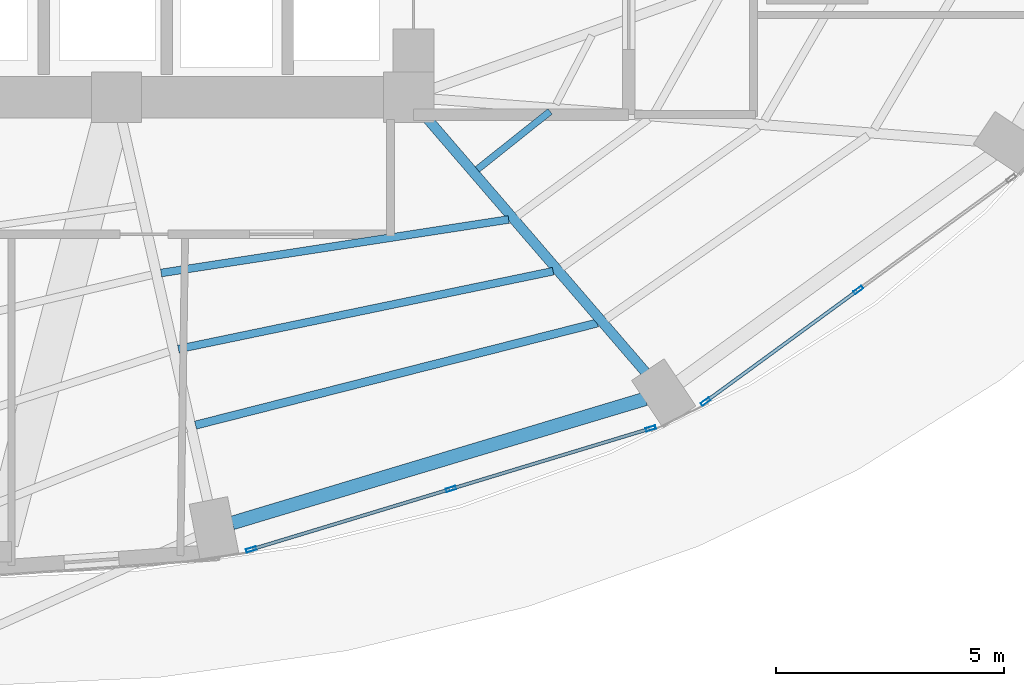
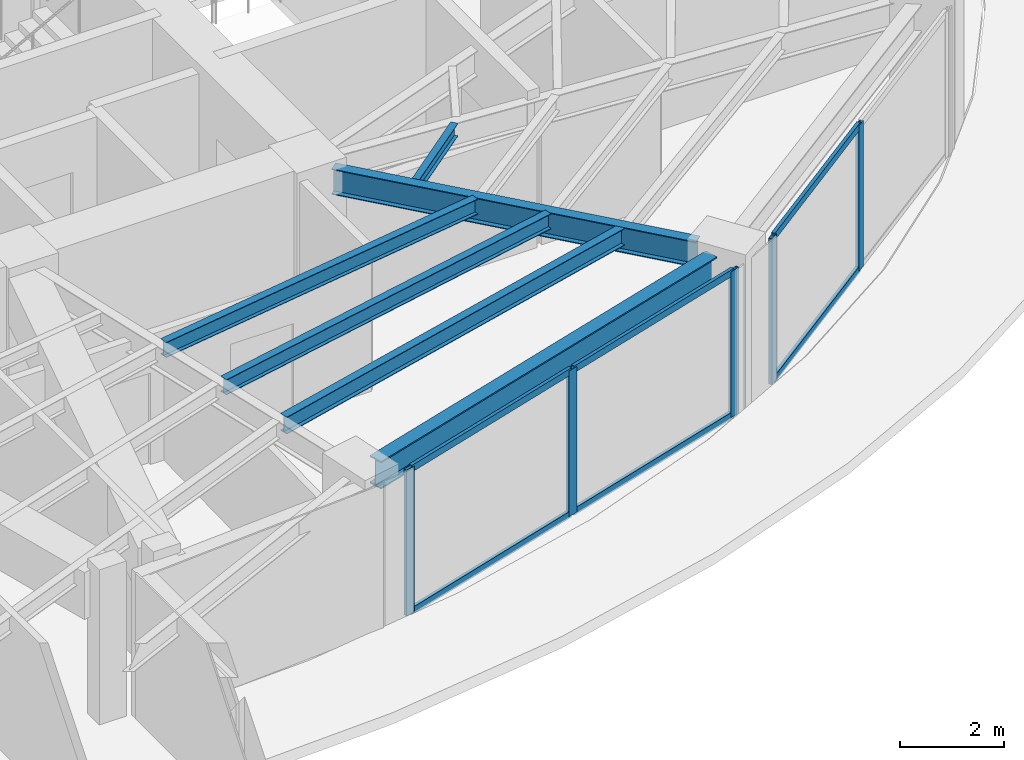
# One storey, part 9 of 25: 11 members, 6 beams, 2 elements without a shape of their own.
"""IFC4 building model written with IfcOpenShell, lengths in metres."""

from ifc_helpers import new_model, si_unit, direction, frame, origin, origin_2d, place, context, subcontext, project, spatial, hollow_rectangle, i_section, extrude, material, layer, layer_set, material_profile, profile_set, type_object, element, aggregate, save


model = new_model("IFC4")

# Units and contexts
model_context = context("Model", 3, precision=1e-05, world=origin(), true_north=direction((0.0, 1.0)))
body_context = subcontext(model_context, "Body", "Model", "MODEL_VIEW")
ifc_project = project(units=[si_unit("LENGTHUNIT", "METRE"), si_unit("AREAUNIT", "SQUARE_METRE"), si_unit("VOLUMEUNIT", "CUBIC_METRE"), si_unit("PLANEANGLEUNIT", "RADIAN"), si_unit("MASSUNIT", "GRAM", prefix="KILO")], contexts=[model_context])

# Site, building, storey
site_placement = place(None, origin())
site = spatial("IfcSite", under=ifc_project, at=site_placement, CompositionType="ELEMENT")
building_placement = place(site_placement, origin())
building = spatial("IfcBuilding", under=site, at=building_placement, Name="Lazwardi Medical Tower", CompositionType="ELEMENT")
storey_placement = place(building_placement, frame((0.0, 0.0, 25.199951171875)))
storey = spatial("IfcBuildingStorey", under=building, at=storey_placement, Name="L05", CompositionType="ELEMENT", Elevation=25.199951171875)

# Beams
ifc_material_1 = material(Name="Steel S355", Category="steel")
ifc_material_profile_1 = material_profile(ifc_material_1, i_section(OverallWidth=0.300048828125, OverallDepth=0.64990234375, WebThickness=0.01611328125, FlangeThickness=0.031005859375, at=origin_2d()), Name="HEB 650")
ifc_profile_set_1 = profile_set([ifc_material_profile_1], Name="Steel S355")
beam_type_1 = type_object("IfcBeamType", Name="BM-RB-Z1", PredefinedType="BEAM", material=ifc_profile_set_1)
beam_1_placement = place(storey_placement, frame((41.73291015625, 11.076904296875, 3.10302734375), z_axis=(0.957695289269, 0.287784177662, 0.0), x_axis=(-0.287784177662, 0.957695289269, 0.0)))
element("IfcBeam", 1, at=beam_1_placement, inside=storey, type_object=beam_type_1, Name="Ring beam RB-02 B01 L05", PredefinedType="BEAM", context=body_context, shape_type="SweptSolid", body=[
    extrude(i_section(OverallWidth=0.300048828125, OverallDepth=0.64990234375, WebThickness=0.01611328125, FlangeThickness=0.031005859375, at=origin_2d()), origin(), (0.0, 0.0, 1.0), 9.445556640625),
])
ifc_material_profile_2 = material_profile(ifc_material_1, i_section(OverallWidth=0.219970703125, OverallDepth=0.60009765625, WebThickness=0.011962890625, FlangeThickness=0.01904296875, at=origin_2d()), Name="IPE 600")
ifc_profile_set_2 = profile_set([ifc_material_profile_2], Name="Steel S355")
beam_type_2 = type_object("IfcBeamType", Name="BM-RG-W1", PredefinedType="BEAM", material=ifc_profile_set_2)
beam_2_placement = place(storey_placement, frame((50.802490234375, 14.355712890625, 3.1279296875), z_axis=(-0.652368190463, 0.757902199543, 0.0), x_axis=(-0.757902199543, -0.652368190463, 0.0)))
element("IfcBeam", 2, at=beam_2_placement, inside=storey, type_object=beam_type_2, Name="Radial girder RG-02 R02 L05", PredefinedType="BEAM", context=body_context, shape_type="SweptSolid", body=[
    extrude(i_section(OverallWidth=0.219970703125, OverallDepth=0.60009765625, WebThickness=0.011962890625, FlangeThickness=0.01904296875, at=origin_2d()), origin(), (0.0, 0.0, 1.0), 7.43994140625),
])
ifc_material_profile_3 = material_profile(ifc_material_1, i_section(OverallWidth=0.179931640625, OverallDepth=0.39990234375, WebThickness=0.008544921875, FlangeThickness=0.013427734375, at=origin_2d()), Name="IPE 400")
ifc_profile_set_3 = profile_set([ifc_material_profile_3], Name="Steel S355")
beam_type_3 = type_object("IfcBeamType", Name="BM-SJ-01", PredefinedType="JOIST", material=ifc_profile_set_3)
beam_3_placement = place(storey_placement, frame((40.927734375, 13.218994140625, 3.22802734375), z_axis=(0.969151012048, 0.246467677081, 0.0), x_axis=(-0.246467677081, 0.969151012048, 0.0)))
element("IfcBeam", 3, at=beam_3_placement, inside=storey, type_object=beam_type_3, Name="Secondary joist SJ-01 R1 B01 L05", PredefinedType="JOIST", context=body_context, shape_type="SweptSolid", body=[
    extrude(i_section(OverallWidth=0.179931640625, OverallDepth=0.39990234375, WebThickness=0.008544921875, FlangeThickness=0.013427734375, at=origin_2d()), origin(), (0.0, 0.0, 1.0), 9.08251953125),
])
ifc_material_profile_4 = material_profile(ifc_material_1, i_section(OverallWidth=0.169921875, OverallDepth=0.360107421875, WebThickness=0.008056640625, FlangeThickness=0.0126953125, at=origin_2d()), Name="IPE 360")
ifc_profile_set_4 = profile_set([ifc_material_profile_4], Name="Steel S355")
beam_type_4 = type_object("IfcBeamType", Name="BM-SJ-02", PredefinedType="JOIST", material=ifc_profile_set_4)
beam_4_placement = place(storey_placement, frame((40.5517578125, 14.885498046875, 3.248046875), z_axis=(0.979107693723, 0.203342381445, 0.0), x_axis=(-0.203342381445, 0.979107693723, 0.0)))
element("IfcBeam", 4, at=beam_4_placement, inside=storey, type_object=beam_type_4, Name="Secondary joist SJ-02 R2 B01 L05", PredefinedType="JOIST", context=body_context, shape_type="SweptSolid", body=[
    extrude(i_section(OverallWidth=0.169921875, OverallDepth=0.360107421875, WebThickness=0.008056640625, FlangeThickness=0.0126953125, at=origin_2d()), origin(), (0.0, 0.0, 1.0), 8.381591796875),
])
beam_5_placement = place(storey_placement, frame((40.175537109375, 16.551513671875, 3.248046875), z_axis=(0.988362899594, 0.152114360618, 0.0), x_axis=(-0.152114360618, 0.988362899594, 0.0)))
element("IfcBeam", 5, at=beam_5_placement, inside=storey, type_object=beam_type_4, Name="Secondary joist SJ-02 R3 B01 L05", PredefinedType="JOIST", context=body_context, shape_type="SweptSolid", body=[
    extrude(i_section(OverallWidth=0.169921875, OverallDepth=0.360107421875, WebThickness=0.008056640625, FlangeThickness=0.0126953125, at=origin_2d()), origin(), (0.0, 0.0, 1.0), 7.70068359375),
])
ifc_material_profile_5 = material_profile(ifc_material_1, i_section(OverallWidth=0.14990234375, OverallDepth=0.300048828125, WebThickness=0.007080078125, FlangeThickness=0.0107421875, at=origin_2d()), Name="IPE 300")
ifc_profile_set_5 = profile_set([ifc_material_profile_5], Name="Steel S355")
beam_type_5 = type_object("IfcBeamType", Name="BM-SJ-03", PredefinedType="JOIST", material=ifc_profile_set_5)
beam_6_placement = place(storey_placement, frame((47.098876953125, 18.8193359375, 3.278076171875), z_axis=(0.782210957226, 0.623013658274, 0.0), x_axis=(-0.623013658274, 0.782210957226, 0.0)))
element("IfcBeam", 6, at=beam_6_placement, inside=storey, type_object=beam_type_5, Name="Secondary joist SJ-03 R4 B02 L05", PredefinedType="JOIST", context=body_context, shape_type="SweptSolid", body=[
    extrude(i_section(OverallWidth=0.14990234375, OverallDepth=0.300048828125, WebThickness=0.007080078125, FlangeThickness=0.0107421875, at=origin_2d()), origin(), (0.0, 0.0, 1.0), 2.0380859375),
])

# Curtain wall, members
ifc_material_2 = material(Name="Anodised bronze aluminium and solar control glazing", Category="aluminium")
ifc_layer = layer(ifc_material_2, 0.199951171875)
ifc_layer_set = layer_set([ifc_layer], Name="Anodised bronze aluminium and solar control glazing")
curtain_wall_type = type_object("IfcCurtainWallType", Name="CW-SYS-02", PredefinedType="NOTDEFINED", material=ifc_layer_set)
curtain_wall_1_placement = place(storey_placement, origin())
curtain_wall_1 = element("IfcCurtainWall", 7, at=curtain_wall_1_placement, inside=storey, type_object=curtain_wall_type, Name="L05 Unitised bronze curtain wall CW-02", PredefinedType="NOTDEFINED")
ifc_material_3 = material(Name="Anodised bronze aluminium", Category="aluminium")
ifc_material_profile_6 = material_profile(ifc_material_3, hollow_rectangle(XDim=0.074951171875, YDim=0.219970703125, WallThickness=0.00390625, at=origin_2d()), Name="ALU-MULLION 220x75x4")
ifc_profile_set_6 = profile_set([ifc_material_profile_6], Name="Anodised bronze aluminium")
member_type_1 = type_object("IfcMemberType", Name="CW-MUL-01", PredefinedType="MULLION", material=ifc_profile_set_6)
member_1_placement = place(storey_placement, frame((42.14794921875, 10.496337890625, 0.0), z_axis=(0.0, 0.0, 1.0), x_axis=(-0.2898956909, 0.957058247129, 0.0)))
member_1 = element("IfcMember", 8, at=member_1_placement, type_object=member_type_1, Name="CW-02 mullion 1", PredefinedType="MULLION", context=body_context, shape_type="SweptSolid", body=[
    extrude(hollow_rectangle(XDim=0.074951171875, YDim=0.219970703125, WallThickness=0.00390625, at=origin_2d()), origin(), (0.0, 0.0, 1.0), 3.427978515625),
])
member_2_placement = place(storey_placement, frame((46.523193359375, 11.821533203125, 0.0), z_axis=(0.0, 0.0, 1.0), x_axis=(-0.2898956909, 0.957058247129, 0.0)))
member_2 = element("IfcMember", 9, at=member_2_placement, type_object=member_type_1, Name="CW-02 mullion 2", PredefinedType="MULLION", context=body_context, shape_type="SweptSolid", body=[
    extrude(hollow_rectangle(XDim=0.074951171875, YDim=0.219970703125, WallThickness=0.00390625, at=origin_2d()), origin(), (0.0, 0.0, 1.0), 3.427978515625),
])
member_3_placement = place(storey_placement, frame((50.8984375, 13.146728515625, 0.0), z_axis=(0.0, 0.0, 1.0), x_axis=(-0.2898956909, 0.957058247129, 0.0)))
member_3 = element("IfcMember", 10, at=member_3_placement, type_object=member_type_1, Name="CW-02 mullion 3", PredefinedType="MULLION", context=body_context, shape_type="SweptSolid", body=[
    extrude(hollow_rectangle(XDim=0.074951171875, YDim=0.219970703125, WallThickness=0.00390625, at=origin_2d()), origin(), (0.0, 0.0, 1.0), 3.427978515625),
])

curtain_wall_2_placement = place(storey_placement, origin())
curtain_wall_2 = element("IfcCurtainWall", 11, at=curtain_wall_2_placement, inside=storey, type_object=curtain_wall_type, Name="L05 Unitised bronze curtain wall CW-02", PredefinedType="NOTDEFINED")
member_4_placement = place(storey_placement, frame((52.0986328125, 13.73388671875, 0.0), z_axis=(0.0, 0.0, 1.0), x_axis=(-0.590289307341, 0.807191757663, 0.0)))
member_4 = element("IfcMember", 12, at=member_4_placement, type_object=member_type_1, Name="CW-02 mullion 1", PredefinedType="MULLION", context=body_context, shape_type="SweptSolid", body=[
    extrude(hollow_rectangle(XDim=0.074951171875, YDim=0.219970703125, WallThickness=0.00390625, at=origin_2d()), origin(), (0.0, 0.0, 1.0), 3.427978515625),
])
member_5_placement = place(storey_placement, frame((55.4443359375, 16.1806640625, 0.0), z_axis=(0.0, 0.0, 1.0), x_axis=(-0.590289307341, 0.807191757663, 0.0)))
member_5 = element("IfcMember", 13, at=member_5_placement, type_object=member_type_1, Name="CW-02 mullion 2", PredefinedType="MULLION", context=body_context, shape_type="SweptSolid", body=[
    extrude(hollow_rectangle(XDim=0.074951171875, YDim=0.219970703125, WallThickness=0.00390625, at=origin_2d()), origin(), (0.0, 0.0, 1.0), 3.427978515625),
])

# Member
ifc_material_profile_7 = material_profile(ifc_material_3, hollow_rectangle(XDim=0.074951171875, YDim=0.159912109375, WallThickness=0.00390625, at=origin_2d()), Name="ALU-TRANSOM 160x75x4")
ifc_profile_set_7 = profile_set([ifc_material_profile_7], Name="Anodised bronze aluminium")
member_type_2 = type_object("IfcMemberType", Name="CW-TRN-01", PredefinedType="USERDEFINED", material=ifc_profile_set_7)
member_6_placement = place(storey_placement, frame((42.183837890625, 10.507080078125, 0.03759765625), z_axis=(0.957047233423, 0.28993204893, 0.0), x_axis=(-0.28993204893, 0.957047233423, 0.0)))
member_6 = element("IfcMember", 14, at=member_6_placement, type_object=member_type_2, Name="CW-02 transom 1.1", ObjectType="TRANSOM", PredefinedType="USERDEFINED", context=body_context, shape_type="SweptSolid", body=[
    extrude(hollow_rectangle(XDim=0.074951171875, YDim=0.159912109375, WallThickness=0.00390625, at=origin_2d()), origin(), (0.0, 0.0, 1.0), 4.49658203125),
])

member_7_placement = place(storey_placement, frame((42.183837890625, 10.507080078125, 3.390625), z_axis=(0.957047233423, 0.28993204893, 0.0), x_axis=(-0.28993204893, 0.957047233423, 0.0)))
member_7 = element("IfcMember", 15, at=member_7_placement, type_object=member_type_2, Name="CW-02 transom 1.2", ObjectType="TRANSOM", PredefinedType="USERDEFINED", context=body_context, shape_type="SweptSolid", body=[
    extrude(hollow_rectangle(XDim=0.074951171875, YDim=0.159912109375, WallThickness=0.00390625, at=origin_2d()), origin(), (0.0, 0.0, 1.0), 4.49658203125),
])

member_8_placement = place(storey_placement, frame((46.55908203125, 11.83251953125, 0.03759765625), z_axis=(0.957062297904, 0.289882317383, 0.0), x_axis=(-0.289882317383, 0.957062297904, 0.0)))
member_8 = element("IfcMember", 16, at=member_8_placement, type_object=member_type_2, Name="CW-02 transom 2.1", ObjectType="TRANSOM", PredefinedType="USERDEFINED", context=body_context, shape_type="SweptSolid", body=[
    extrude(hollow_rectangle(XDim=0.074951171875, YDim=0.159912109375, WallThickness=0.00390625, at=origin_2d()), origin(), (0.0, 0.0, 1.0), 4.49658203125),
])

member_9_placement = place(storey_placement, frame((46.55908203125, 11.83251953125, 3.390625), z_axis=(0.957062297904, 0.289882317383, 0.0), x_axis=(-0.289882317383, 0.957062297904, 0.0)))
member_9 = element("IfcMember", 17, at=member_9_placement, type_object=member_type_2, Name="CW-02 transom 2.2", ObjectType="TRANSOM", PredefinedType="USERDEFINED", context=body_context, shape_type="SweptSolid", body=[
    extrude(hollow_rectangle(XDim=0.074951171875, YDim=0.159912109375, WallThickness=0.00390625, at=origin_2d()), origin(), (0.0, 0.0, 1.0), 4.49658203125),
])

aggregate(curtain_wall_1, [member_1, member_2, member_3, member_6, member_7, member_8, member_9])

member_10_placement = place(storey_placement, frame((52.12890625, 13.756103515625, 0.03759765625), z_axis=(0.807197636578, 0.590281268128, 0.0), x_axis=(-0.590281268128, 0.807197636578, 0.0)))
member_10 = element("IfcMember", 18, at=member_10_placement, type_object=member_type_2, Name="CW-02 transom 1.1", ObjectType="TRANSOM", PredefinedType="USERDEFINED", context=body_context, shape_type="SweptSolid", body=[
    extrude(hollow_rectangle(XDim=0.074951171875, YDim=0.159912109375, WallThickness=0.00390625, at=origin_2d()), origin(), (0.0, 0.0, 1.0), 4.06982421875),
])

member_11_placement = place(storey_placement, frame((52.12890625, 13.756103515625, 3.390625), z_axis=(0.807197636578, 0.590281268128, 0.0), x_axis=(-0.590281268128, 0.807197636578, 0.0)))
member_11 = element("IfcMember", 19, at=member_11_placement, type_object=member_type_2, Name="CW-02 transom 1.2", ObjectType="TRANSOM", PredefinedType="USERDEFINED", context=body_context, shape_type="SweptSolid", body=[
    extrude(hollow_rectangle(XDim=0.074951171875, YDim=0.159912109375, WallThickness=0.00390625, at=origin_2d()), origin(), (0.0, 0.0, 1.0), 4.06982421875),
])

aggregate(curtain_wall_2, [member_4, member_5, member_10, member_11])

save(model, "model.ifc")
